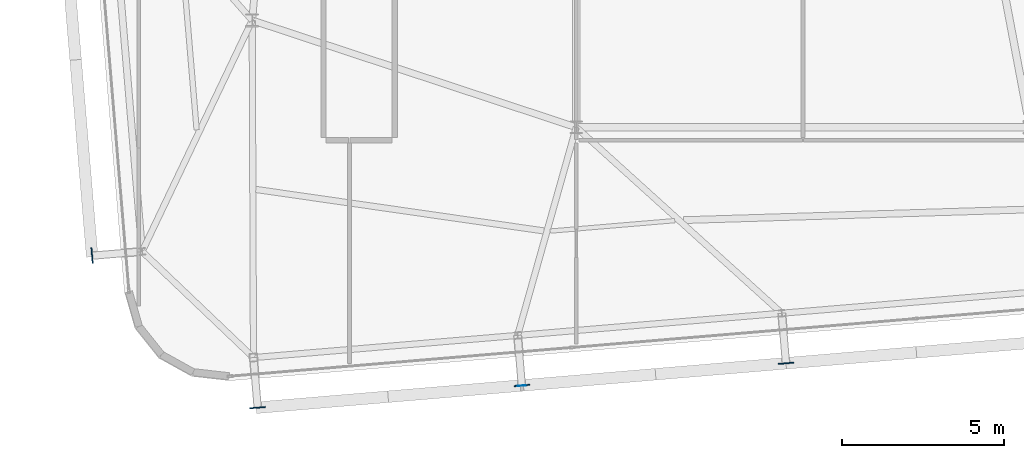
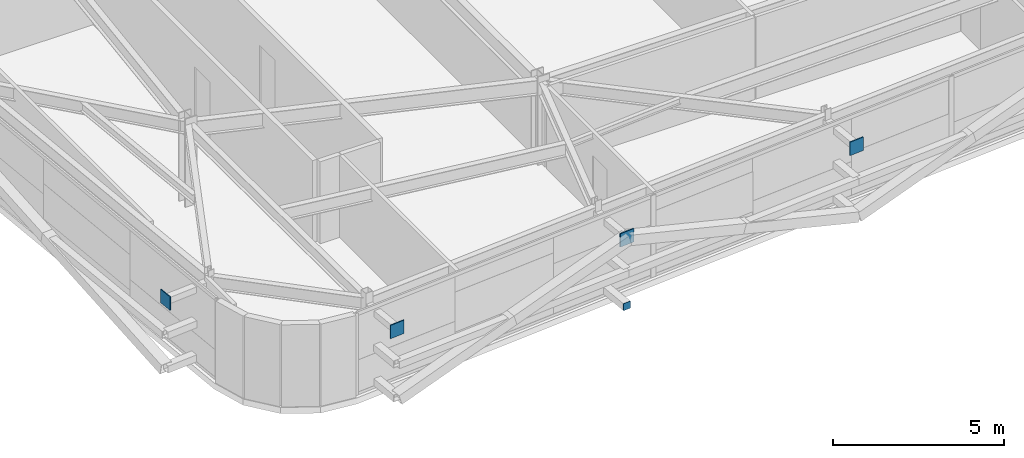
# One storey, part 27 of 37: 5 plates.
"""IFC4 building model written with IfcOpenShell, lengths in metres."""

from ifc_helpers import new_model, si_unit, direction, frame, origin, origin_2d, place, context, subcontext, project, spatial, rectangle, extrude, source, transform, mapped, material, layer, layer_set, type_object, element, save


model = new_model("IFC4")

# Units and contexts
model_context = context("Model", 3, precision=1e-05, world=origin(), true_north=direction((0.0, 1.0)))
body_context = subcontext(model_context, "Body", "Model", "MODEL_VIEW")
ifc_project = project(units=[si_unit("LENGTHUNIT", "METRE"), si_unit("AREAUNIT", "SQUARE_METRE"), si_unit("VOLUMEUNIT", "CUBIC_METRE"), si_unit("PLANEANGLEUNIT", "RADIAN"), si_unit("MASSUNIT", "GRAM", prefix="KILO")], contexts=[model_context])

# Site, building, storey
site_placement = place(None, origin())
site = spatial("IfcSite", under=ifc_project, at=site_placement, CompositionType="ELEMENT")
building_placement = place(site_placement, origin())
building = spatial("IfcBuilding", under=site, at=building_placement, Name="Taldren Reach Tower", CompositionType="ELEMENT")
storey_placement = place(building_placement, frame((0.0, 0.0, 172.550048828125)))
storey = spatial("IfcBuildingStorey", under=building, at=storey_placement, Name="L52", CompositionType="ELEMENT", Elevation=172.550048828125)

# Plates
ifc_material_1 = material(Name="Steel Gr 350 (C350L0)", Category="steel")
ifc_layer_1 = layer(ifc_material_1, 0.011962890625)
ifc_layer_set_1 = layer_set([ifc_layer_1], Name="Steel Gr 350 (C350L0)")
plate_type_1 = type_object("IfcPlateType", Name="PL-CAP-250", PredefinedType="SHEET", material=ifc_layer_set_1)
shared_shape_1 = source(origin(), body_context, "Body", "SweptSolid", [
    extrude(rectangle(XDim=0.25, YDim=0.011962890625, at=origin_2d()), origin(), (0.0, 0.0, 1.0), 0.25),
])
plate_placement = place(storey_placement, frame((26.321044921875, 1.22802734375, 0.094970703125), z_axis=(0.0, 0.0, 1.0), x_axis=(0.99649285925, 0.083677843332, 0.0)))
element("IfcPlate", 1, at=plate_placement, inside=storey, type_object=plate_type_1, Name="Tie strut end cap plate B4-S2 L52", PredefinedType="SHEET", context=body_context, shape_type="MappedRepresentation", body=[
    mapped(shared_shape_1, transform((0.0, 0.0, 0.0), scale=1.0)),
])
ifc_material_2 = material(Name="Steel Gr 450 (C450L0)", Category="steel")
ifc_layer_2 = layer(ifc_material_2, 0.031982421875)
ifc_layer_set_2 = layer_set([ifc_layer_2], Name="Steel Gr 450 (C450L0)")
plate_type_2 = type_object("IfcPlateType", Name="PL-GUSSET-32", PredefinedType="SHEET", material=ifc_layer_set_2)
shared_shape_2 = source(origin(), body_context, "Body", "SweptSolid", [
    extrude(rectangle(XDim=0.47998046875, YDim=0.031982421875, at=origin_2d()), origin(), (0.0, 0.0, 1.0), 0.47998046875),
])
for number, where, z_axis, x_axis, name in (
    (2, (18.16943359375, 0.549560546875, 2.409912109375), (0.0, 0.0, 1.0), (0.99649285925, 0.083677843332, 0.0), "Exoskeleton star-node gusset plate B4-S1 L52"),
    (3, (26.320556640625, 1.23388671875, 2.409912109375), (0.0, 0.0, 1.0), (0.99649285925, 0.083677843332, 0.0), "Exoskeleton star-node gusset plate B4-S2 L52"),
    (4, (34.471923828125, 1.91845703125, 2.409912109375), (0.0, 0.0, 1.0), (0.99649285925, 0.083677843332, 0.0), "Exoskeleton star-node gusset plate B4-S3 L52"),
    (5, (13.05908203125, 5.23828125, 2.409912109375), (0.0, 0.0, 1.0), (-0.083677843332, 0.99649285925, 0.0), "Exoskeleton star-node gusset plate B4-W1 L52"),
):
    element("IfcPlate", number, at=place(storey_placement, frame(where, z_axis=z_axis, x_axis=x_axis)), inside=storey, type_object=plate_type_2, Name=name, PredefinedType="SHEET", context=body_context, shape_type="MappedRepresentation", body=[
        mapped(shared_shape_2, transform((0.0, 0.0, 0.0), scale=1.0)),
    ])

save(model, "model.ifc")
